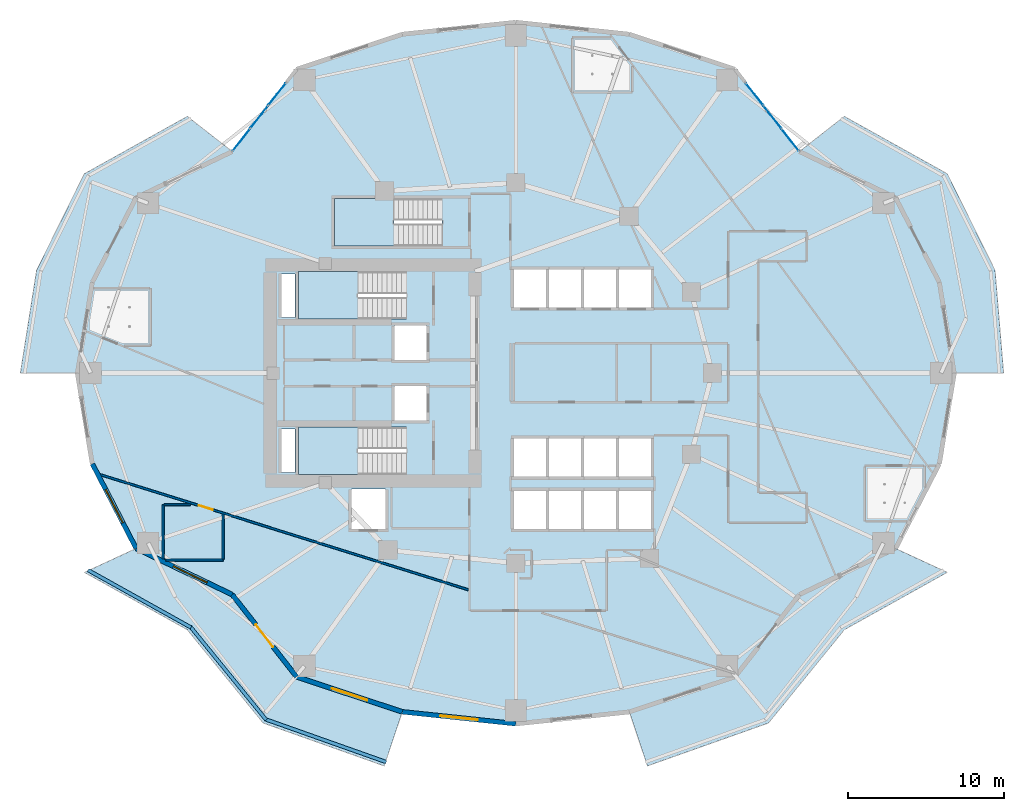
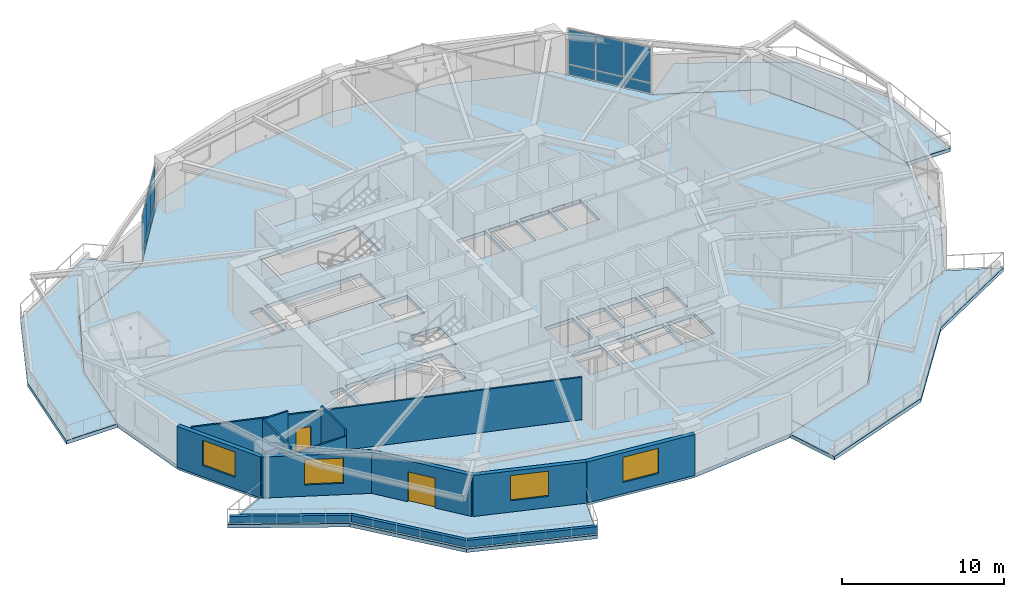
# One storey, part 4 of 18: 14 plates, 13 walls, 8 slabs, 4 windows, 2 doors, 6 openings, 5 elements without a shape of their own.
"""IFC4 building model written with IfcOpenShell, lengths in metres."""

from ifc_helpers import new_model, si_unit, direction, frame, frame_2d, origin, origin_2d, place, context, subcontext, project, spatial, polyline, rectangle, outline, extrude, material, layer, layer_set, type_object, element, fill, aggregate, save


model = new_model("IFC4")

# Units and contexts
model_context = context("Model", 3, precision=1e-05, world=origin(), true_north=direction((0.0, 1.0)))
body_context = subcontext(model_context, "Body", "Model", "MODEL_VIEW")
ifc_project = project(units=[si_unit("LENGTHUNIT", "METRE"), si_unit("AREAUNIT", "SQUARE_METRE"), si_unit("VOLUMEUNIT", "CUBIC_METRE"), si_unit("PLANEANGLEUNIT", "RADIAN"), si_unit("MASSUNIT", "GRAM", prefix="KILO")], contexts=[model_context])

# Site, building, storey
site_placement = place(None, origin())
site = spatial("IfcSite", under=ifc_project, at=site_placement, CompositionType="ELEMENT")
building_placement = place(site_placement, origin())
building = spatial("IfcBuilding", under=site, at=building_placement, Name="Kolvaren Gate Tower and Convention Centre", CompositionType="ELEMENT")
storey_placement = place(building_placement, frame((0.0, 0.0, 30.35009765625)))
storey = spatial("IfcBuildingStorey", under=building, at=storey_placement, Name="L06", CompositionType="ELEMENT", Elevation=30.35009765625)

# Plates
ifc_material_1 = material(Name="Perforated Anodized Bronze Aluminium Sheet 6 mm", Category="aluminium")
ifc_layer_1 = layer(ifc_material_1, 0.011962890625)
ifc_layer_set_1 = layer_set([ifc_layer_1], Name="Perforated Anodized Bronze Aluminium Sheet 6 mm")
plate_type_1 = type_object("IfcPlateType", Name="ARCH-PL-SCREEN-PERF", PredefinedType="SHEET", material=ifc_layer_set_1)
for number, where, z_axis, x_axis, name in (
    (1, (46.25146484375, 43.84912109375, 2.72998046875), (0.0, 0.0, 1.0), (0.616424499081, -0.787414018756, 0.0), "Tower L06 Perforated Bronze Solar Screen SS-03"),
    (2, (13.99853515625, 43.84912109375, 2.72998046875), (0.0, 0.0, 1.0), (0.616424499081, 0.787414018756, 0.0), "Tower L06 Perforated Bronze Solar Screen SS-08"),
):
    element("IfcPlate", number, at=place(storey_placement, frame(where, z_axis=z_axis, x_axis=x_axis)), inside=storey, type_object=plate_type_1, Name=name, PredefinedType="SHEET", context=body_context, shape_type="SweptSolid", body=[
        extrude(rectangle(XDim=2.60009765625, YDim=0.011962890625, at=origin_2d()), origin(), (0.0, 0.0, 1.0), 0.840087890625),
    ])

# Curtain wall, plates
ifc_material_2 = material(Name="Anodized Architectural Aluminium Alloy 6063-T6", Category="aluminium")
ifc_layer_2 = layer(ifc_material_2, 0.159912109375)
ifc_layer_set_2 = layer_set([ifc_layer_2], Name="Anodized Architectural Aluminium Alloy 6063-T6")
curtain_wall_type = type_object("IfcCurtainWallType", Name="CW-OFF-UNIT", PredefinedType="NOTDEFINED", material=ifc_layer_set_2)
curtain_wall_1_placement = place(storey_placement, origin())
curtain_wall_1 = element("IfcCurtainWall", 3, at=curtain_wall_1_placement, inside=storey, type_object=curtain_wall_type, Name="Tower L06 Unitised Curtain Wall CW-OFF-UNIT Bay 03", PredefinedType="NOTDEFINED")
ifc_material_3 = material(Name="Low-E Triple Insulated Glazing Unit 44 mm", Category="glass")
ifc_layer_3 = layer(ifc_material_3, 0.0439453125)
ifc_layer_set_3 = layer_set([ifc_layer_3], Name="Low-E Triple Insulated Glazing Unit 44 mm")
plate_type_2 = type_object("IfcPlateType", Name="CW-PL-IGU-44", PredefinedType="CURTAIN_PANEL", material=ifc_layer_set_3)
plate_1_placement = place(storey_placement, frame((45.438232421875, 44.887939453125, 0.88232421875), z_axis=(0.0, 0.0, 1.0), x_axis=(0.616425794643, -0.787413004527, 0.0)))
plate_1 = element("IfcPlate", 4, at=plate_1_placement, type_object=plate_type_2, Name="CW-02 panel 1.2", PredefinedType="CURTAIN_PANEL", context=body_context, shape_type="SweptSolid", body=[
    extrude(rectangle(XDim=1.77587890625, YDim=0.0439453125, at=origin_2d()), origin(), (0.0, 0.0, 1.0), 2.62255859375),
])
plate_2_placement = place(storey_placement, frame((46.5830078125, 43.425537109375, 0.88232421875), z_axis=(0.0, 0.0, 1.0), x_axis=(0.616425794643, -0.787413004527, 0.0)))
plate_2 = element("IfcPlate", 5, at=plate_2_placement, type_object=plate_type_2, Name="CW-02 panel 2.2", PredefinedType="CURTAIN_PANEL", context=body_context, shape_type="SweptSolid", body=[
    extrude(rectangle(XDim=1.808349609375, YDim=0.0439453125, at=origin_2d()), origin(), (0.0, 0.0, 1.0), 2.62255859375),
])
plate_3_placement = place(storey_placement, frame((47.727783203125, 41.963134765625, 0.88232421875), z_axis=(0.0, 0.0, 1.0), x_axis=(0.616425794643, -0.787413004527, 0.0)))
plate_3 = element("IfcPlate", 6, at=plate_3_placement, type_object=plate_type_2, Name="CW-02 panel 3.2", PredefinedType="CURTAIN_PANEL", context=body_context, shape_type="SweptSolid", body=[
    extrude(rectangle(XDim=1.77587890625, YDim=0.0439453125, at=origin_2d()), origin(), (0.0, 0.0, 1.0), 2.62255859375),
])

curtain_wall_2_placement = place(storey_placement, origin())
curtain_wall_2 = element("IfcCurtainWall", 7, at=curtain_wall_2_placement, inside=storey, type_object=curtain_wall_type, Name="Tower L06 Unitised Curtain Wall CW-OFF-UNIT Bay 08", PredefinedType="NOTDEFINED")
plate_4_placement = place(storey_placement, frame((12.522216796875, 41.963134765625, 0.88232421875), z_axis=(0.0, 0.0, 1.0), x_axis=(0.616421003276, 0.787416755422, 0.0)))
plate_4 = element("IfcPlate", 8, at=plate_4_placement, type_object=plate_type_2, Name="CW-02 panel 1.2", PredefinedType="CURTAIN_PANEL", context=body_context, shape_type="SweptSolid", body=[
    extrude(rectangle(XDim=1.77587890625, YDim=0.0439453125, at=origin_2d()), origin(), (0.0, 0.0, 1.0), 2.62255859375),
])
plate_5_placement = place(storey_placement, frame((13.666748046875, 43.425537109375, 0.88232421875), z_axis=(0.0, 0.0, 1.0), x_axis=(0.616421003276, 0.787416755422, 0.0)))
plate_5 = element("IfcPlate", 9, at=plate_5_placement, type_object=plate_type_2, Name="CW-02 panel 2.2", PredefinedType="CURTAIN_PANEL", context=body_context, shape_type="SweptSolid", body=[
    extrude(rectangle(XDim=1.808349609375, YDim=0.0439453125, at=origin_2d()), origin(), (0.0, 0.0, 1.0), 2.62255859375),
])
plate_6_placement = place(storey_placement, frame((14.8115234375, 44.8876953125, 0.88232421875), z_axis=(0.0, 0.0, 1.0), x_axis=(0.616421003276, 0.787416755422, 0.0)))
plate_6 = element("IfcPlate", 10, at=plate_6_placement, type_object=plate_type_2, Name="CW-02 panel 3.2", PredefinedType="CURTAIN_PANEL", context=body_context, shape_type="SweptSolid", body=[
    extrude(rectangle(XDim=1.77587890625, YDim=0.0439453125, at=origin_2d()), origin(), (0.0, 0.0, 1.0), 2.62255859375),
])

# Plate
ifc_material_4 = material(Name="Solar-Control Laminated Curtain Glazing 36 mm", Category="glass")
ifc_layer_4 = layer(ifc_material_4, 0.035888671875)
ifc_layer_set_4 = layer_set([ifc_layer_4], Name="Solar-Control Laminated Curtain Glazing 36 mm")
plate_type_3 = type_object("IfcPlateType", Name="CW-PL-SPAN-36", PredefinedType="CURTAIN_PANEL", material=ifc_layer_set_4)
plate_7_placement = place(storey_placement, frame((45.438232421875, 44.887939453125, 0.06494140625), z_axis=(0.0, 0.0, 1.0), x_axis=(0.616425794643, -0.787413004527, 0.0)))
plate_7 = element("IfcPlate", 11, at=plate_7_placement, type_object=plate_type_3, Name="CW-02 panel 1.1", PredefinedType="CURTAIN_PANEL", context=body_context, shape_type="SweptSolid", body=[
    extrude(rectangle(XDim=1.77587890625, YDim=0.035888671875, at=origin_2d()), origin(), (0.0, 0.0, 1.0), 0.75244140625),
])

plate_8_placement = place(storey_placement, frame((46.5830078125, 43.425537109375, 0.06494140625), z_axis=(0.0, 0.0, 1.0), x_axis=(0.616425794643, -0.787413004527, 0.0)))
plate_8 = element("IfcPlate", 12, at=plate_8_placement, type_object=plate_type_3, Name="CW-02 panel 2.1", PredefinedType="CURTAIN_PANEL", context=body_context, shape_type="SweptSolid", body=[
    extrude(rectangle(XDim=1.808349609375, YDim=0.035888671875, at=origin_2d()), origin(), (0.0, 0.0, 1.0), 0.75244140625),
])

plate_9_placement = place(storey_placement, frame((47.727783203125, 41.963134765625, 0.06494140625), z_axis=(0.0, 0.0, 1.0), x_axis=(0.616425794643, -0.787413004527, 0.0)))
plate_9 = element("IfcPlate", 13, at=plate_9_placement, type_object=plate_type_3, Name="CW-02 panel 3.1", PredefinedType="CURTAIN_PANEL", context=body_context, shape_type="SweptSolid", body=[
    extrude(rectangle(XDim=1.77587890625, YDim=0.035888671875, at=origin_2d()), origin(), (0.0, 0.0, 1.0), 0.75244140625),
])

aggregate(curtain_wall_1, [plate_7, plate_1, plate_8, plate_2, plate_9, plate_3])

plate_10_placement = place(storey_placement, frame((12.522216796875, 41.963134765625, 0.06494140625), z_axis=(0.0, 0.0, 1.0), x_axis=(0.616421003276, 0.787416755422, 0.0)))
plate_10 = element("IfcPlate", 14, at=plate_10_placement, type_object=plate_type_3, Name="CW-02 panel 1.1", PredefinedType="CURTAIN_PANEL", context=body_context, shape_type="SweptSolid", body=[
    extrude(rectangle(XDim=1.77587890625, YDim=0.035888671875, at=origin_2d()), origin(), (0.0, 0.0, 1.0), 0.75244140625),
])

plate_11_placement = place(storey_placement, frame((13.666748046875, 43.425537109375, 0.06494140625), z_axis=(0.0, 0.0, 1.0), x_axis=(0.616421003276, 0.787416755422, 0.0)))
plate_11 = element("IfcPlate", 15, at=plate_11_placement, type_object=plate_type_3, Name="CW-02 panel 2.1", PredefinedType="CURTAIN_PANEL", context=body_context, shape_type="SweptSolid", body=[
    extrude(rectangle(XDim=1.808349609375, YDim=0.035888671875, at=origin_2d()), origin(), (0.0, 0.0, 1.0), 0.75244140625),
])

plate_12_placement = place(storey_placement, frame((14.8115234375, 44.8876953125, 0.06494140625), z_axis=(0.0, 0.0, 1.0), x_axis=(0.616421003276, 0.787416755422, 0.0)))
plate_12 = element("IfcPlate", 16, at=plate_12_placement, type_object=plate_type_3, Name="CW-02 panel 3.1", PredefinedType="CURTAIN_PANEL", context=body_context, shape_type="SweptSolid", body=[
    extrude(rectangle(XDim=1.77587890625, YDim=0.035888671875, at=origin_2d()), origin(), (0.0, 0.0, 1.0), 0.75244140625),
])

aggregate(curtain_wall_2, [plate_10, plate_4, plate_11, plate_5, plate_12, plate_6])

# Slabs
ifc_material_5 = material(Name="Concrete C50/60", Category="concrete")
ifc_layer_5 = layer(ifc_material_5, 0.27001953125)
ifc_layer_set_5 = layer_set([ifc_layer_5], Name="Concrete C50/60")
slab_type_1 = type_object("IfcSlabType", Name="STR-SL-BALC-270", PredefinedType="FLOOR", material=ifc_layer_set_5)
slab_1_placement = place(storey_placement, frame((0.0, 0.0, -0.27001953125)))
element("IfcSlab", 17, at=slab_1_placement, inside=storey, type_object=slab_type_1, Name="Tower L06 Planted Balcony Terrace Slab 1 (East)", PredefinedType="FLOOR", context=body_context, shape_type="SweptSolid", body=[
    extrude(outline(polyline([(58.25, 27.0), (57.291748046875, 32.823486328125), (54.48193359375, 38.25), (48.315185546875, 41.212890625), (51.19921875, 43.46630859375), (57.8046875, 39.78466796875), (60.870361328125, 33.590576171875), (61.419921875, 27.0), (58.25, 27.0)])), origin(), (0.0, 0.0, 1.0), 0.27001953125),
])
slab_2_placement = place(storey_placement, frame((0.0, 0.0, -0.27001953125)))
element("IfcSlab", 18, at=slab_2_placement, inside=storey, type_object=slab_type_1, Name="Tower L06 Planted Balcony Terrace Slab 2 (West)", PredefinedType="FLOOR", context=body_context, shape_type="SweptSolid", body=[
    extrude(outline(polyline([(11.934814453125, 41.212890625), (5.76806640625, 38.25), (2.958251953125, 32.823486328125), (2.0, 27.0), (-1.659912109375, 27.0), (-0.620361328125, 33.590576171875), (2.4453125, 39.78466796875), (9.05078125, 43.46630859375), (11.934814453125, 41.212890625)])), origin(), (0.0, 0.0, 1.0), 0.27001953125),
])
slab_3_placement = place(storey_placement, frame((0.0, 0.0, -0.27001953125)))
element("IfcSlab", 19, at=slab_3_placement, inside=storey, type_object=slab_type_1, Name="Tower L06 Planted Balcony Terrace Slab 3 (South)", PredefinedType="FLOOR", context=body_context, shape_type="SweptSolid", body=[
    extrude(outline(polyline([(5.76806640625, 15.75), (11.934814453125, 12.787109375), (16.0625, 7.514404296875), (22.845703125, 5.2666015625), (21.683349609375, 1.796142578125), (13.920654296875, 4.546630859375), (9.05078125, 10.53369140625), (2.4453125, 14.21533203125), (5.76806640625, 15.75)])), origin(), (0.0, 0.0, 1.0), 0.27001953125),
])
slab_4_placement = place(storey_placement, frame((0.0, 0.0, -0.27001953125)))
element("IfcSlab", 20, at=slab_4_placement, inside=storey, type_object=slab_type_1, Name="Tower L06 Planted Balcony Terrace Slab 4 (South)", PredefinedType="FLOOR", context=body_context, shape_type="SweptSolid", body=[
    extrude(outline(polyline([(37.404296875, 5.2666015625), (44.1875, 7.514404296875), (48.315185546875, 12.787109375), (54.48193359375, 15.75), (57.8046875, 14.21533203125), (51.19921875, 10.53369140625), (46.329345703125, 4.546630859375), (38.566650390625, 1.796142578125), (37.404296875, 5.2666015625)])), origin(), (0.0, 0.0, 1.0), 0.27001953125),
])
ifc_layer_6 = layer(ifc_material_5, 0.280029296875)
ifc_layer_set_6 = layer_set([ifc_layer_6], Name="Concrete C50/60")
slab_type_2 = type_object("IfcSlabType", Name="STR-SL-FLR-280", PredefinedType="FLOOR", material=ifc_layer_set_6)
slab_5_placement = place(storey_placement, frame((0.0, 0.0, -0.280029296875)))
element("IfcSlab", 21, at=slab_5_placement, inside=storey, type_object=slab_type_2, Name="Tower L06 Structural Floor Slab", PredefinedType="FLOOR", context=body_context, shape_type="SweptSolid", body=[
    extrude(outline(polyline([(58.25, 27.0), (57.291748046875, 32.823486328125), (54.48193359375, 38.25), (48.315185546875, 41.212890625), (44.1875, 46.485595703125), (37.404296875, 48.7333984375), (30.125, 49.5), (22.845703125, 48.7333984375), (16.0625, 46.485595703125), (11.934814453125, 41.212890625), (5.76806640625, 38.25), (2.958251953125, 32.823486328125), (2.0, 27.0), (2.958251953125, 21.176513671875), (5.76806640625, 15.75), (11.934814453125, 12.787109375), (16.0625, 7.514404296875), (22.845703125, 5.2666015625), (30.125, 4.5), (37.404296875, 5.2666015625), (44.1875, 7.514404296875), (48.315185546875, 12.787109375), (54.48193359375, 15.75), (57.291748046875, 21.176513671875), (58.25, 27.0)]), holes=[polyline([(36.75, 33.64990234375), (38.800048828125, 33.64990234375), (38.800048828125, 31.199951171875), (36.75, 31.199951171875), (36.75, 33.64990234375)]), polyline([(36.75, 20.35009765625), (36.75, 22.800048828125), (38.800048828125, 22.800048828125), (38.800048828125, 20.35009765625), (36.75, 20.35009765625)]), polyline([(36.75, 17.0), (36.75, 19.449951171875), (38.800048828125, 19.449951171875), (38.800048828125, 17.0), (36.75, 17.0)]), polyline([(34.5, 33.64990234375), (36.550048828125, 33.64990234375), (36.550048828125, 31.199951171875), (34.5, 31.199951171875), (34.5, 33.64990234375)]), polyline([(34.5, 22.800048828125), (36.550048828125, 22.800048828125), (36.550048828125, 20.35009765625), (34.5, 20.35009765625), (34.5, 22.800048828125)]), polyline([(34.5, 17.0), (34.5, 19.449951171875), (36.550048828125, 19.449951171875), (36.550048828125, 17.0), (34.5, 17.0)]), polyline([(32.25, 31.199951171875), (32.25, 33.64990234375), (34.300048828125, 33.64990234375), (34.300048828125, 31.199951171875), (32.25, 31.199951171875)]), polyline([(32.25, 22.800048828125), (34.300048828125, 22.800048828125), (34.300048828125, 20.35009765625), (32.25, 20.35009765625), (32.25, 22.800048828125)]), polyline([(32.25, 17.0), (32.25, 19.449951171875), (34.300048828125, 19.449951171875), (34.300048828125, 17.0), (32.25, 17.0)]), polyline([(30.0, 31.199951171875), (30.0, 33.64990234375), (32.050048828125, 33.64990234375), (32.050048828125, 31.199951171875), (30.0, 31.199951171875)]), polyline([(30.0, 20.35009765625), (30.0, 22.800048828125), (32.050048828125, 22.800048828125), (32.050048828125, 20.35009765625), (30.0, 20.35009765625)]), polyline([(30.0, 17.0), (30.0, 19.449951171875), (32.050048828125, 19.449951171875), (32.050048828125, 17.0), (30.0, 17.0)]), polyline([(25.39990234375, 35.159912109375), (18.5, 35.159912109375), (18.5, 38.199951171875), (25.39990234375, 38.199951171875), (25.39990234375, 35.159912109375)]), polyline([(22.35009765625, 27.840087890625), (22.35009765625, 30.0400390625), (24.39990234375, 30.0400390625), (24.39990234375, 27.840087890625), (22.35009765625, 27.840087890625)]), polyline([(22.35009765625, 23.9599609375), (22.35009765625, 26.159912109375), (24.39990234375, 26.159912109375), (24.39990234375, 23.9599609375), (22.35009765625, 23.9599609375)]), polyline([(23.10009765625, 30.4599609375), (16.199951171875, 30.4599609375), (16.199951171875, 33.5), (23.10009765625, 33.5), (23.10009765625, 30.4599609375)]), polyline([(23.10009765625, 20.5), (16.199951171875, 20.5), (16.199951171875, 23.5400390625), (23.10009765625, 23.5400390625), (23.10009765625, 20.5)]), polyline([(19.60009765625, 17.0), (19.60009765625, 19.550048828125), (21.75, 19.550048828125), (21.75, 17.0), (19.60009765625, 17.0)]), polyline([(15.080078125, 23.419921875), (15.969970703125, 23.419921875), (15.969970703125, 20.6298828125), (15.080078125, 20.6298828125), (15.080078125, 23.419921875)]), polyline([(15.080078125, 30.580078125), (15.080078125, 33.3701171875), (15.969970703125, 33.3701171875), (15.969970703125, 30.580078125), (15.080078125, 30.580078125)])]), origin(), (0.0, 0.0, 1.0), 0.280029296875),
])

# Stair, slab
stair_type = type_object("IfcStairType", Name="STR-STAIR-CORE", PredefinedType="HALF_TURN_STAIR", material=ifc_material_5)
stair_1_placement = place(storey_placement, origin())
stair_1 = element("IfcStair", 22, at=stair_1_placement, inside=storey, type_object=stair_type, Name="L06 Tower North Exit Stair ST-T1", PredefinedType="HALF_TURN_STAIR")
ifc_layer_7 = layer(ifc_material_5, 0.199951171875)
ifc_layer_set_7 = layer_set([ifc_layer_7], Name="Concrete C50/60")
slab_type_3 = type_object("IfcSlabType", Name="STR-SL-LAND-200", PredefinedType="LANDING", material=ifc_layer_set_7)
slab_6_placement = place(storey_placement, frame((0.0, 0.0, 1.724853515625)))
slab_6 = element("IfcSlab", 23, at=slab_6_placement, type_object=slab_type_3, Name="ST-T1 landing 1", PredefinedType="LANDING", context=body_context, shape_type="SweptSolid", body=[
    extrude(outline(polyline([(20.0, 33.5), (16.199951171875, 33.5), (16.199951171875, 30.4599609375), (20.0, 30.4599609375), (20.0, 33.5)])), origin(), (0.0, 0.0, 1.0), 0.199951171875),
])
aggregate(stair_1, [slab_6])

stair_2_placement = place(storey_placement, origin())
stair_2 = element("IfcStair", 24, at=stair_2_placement, inside=storey, type_object=stair_type, Name="L06 Tower South Exit Stair ST-T2", PredefinedType="HALF_TURN_STAIR")
slab_7_placement = place(storey_placement, frame((0.0, 0.0, 1.724853515625)))
slab_7 = element("IfcSlab", 25, at=slab_7_placement, type_object=slab_type_3, Name="ST-T2 landing 1", PredefinedType="LANDING", context=body_context, shape_type="SweptSolid", body=[
    extrude(outline(polyline([(20.0, 23.5400390625), (16.199951171875, 23.5400390625), (16.199951171875, 20.5), (20.0, 20.5), (20.0, 23.5400390625)])), origin(), (0.0, 0.0, 1.0), 0.199951171875),
])
aggregate(stair_2, [slab_7])

stair_3_placement = place(storey_placement, origin())
stair_3 = element("IfcStair", 26, at=stair_3_placement, inside=storey, type_object=stair_type, Name="L06 Tower Mid-Zone Exit Stair ST-T3", PredefinedType="HALF_TURN_STAIR")
slab_8_placement = place(storey_placement, frame((0.0, 0.0, 1.724853515625)))
slab_8 = element("IfcSlab", 27, at=slab_8_placement, type_object=slab_type_3, Name="ST-T3 landing 1", PredefinedType="LANDING", context=body_context, shape_type="SweptSolid", body=[
    extrude(outline(polyline([(22.300048828125, 38.199951171875), (18.5, 38.199951171875), (18.5, 35.159912109375), (22.300048828125, 35.159912109375), (22.300048828125, 38.199951171875)])), origin(), (0.0, 0.0, 1.0), 0.199951171875),
])
aggregate(stair_3, [slab_8])

# Wall, opening, door
ifc_material_6 = material(Name="Fire-Rated Acoustic Gypsum Stud Partition", Category="gypsum")
ifc_layer_8 = layer(ifc_material_6, 0.1201171875)
ifc_layer_set_8 = layer_set([ifc_layer_8], Name="Fire-Rated Acoustic Gypsum Stud Partition")
wall_type_1 = type_object("IfcWallType", Name="ARCH-WL-PART-120", PredefinedType="PARTITIONING", material=ifc_layer_set_8)
wall_1_placement = place(storey_placement, frame((3.4912109375, 20.477783203125, 0.0), z_axis=(0.0, 0.0, 1.0), x_axis=(0.954372143903, -0.298619843517, 0.0)))
wall_1 = element("IfcWall", 28, at=wall_1_placement, inside=storey, type_object=wall_type_1, Name="Interior Partition WL-L06-INT-044", PredefinedType="PARTITIONING", context=body_context, shape_type="SweptSolid", body=[
    extrude(rectangle(XDim=24.709228515625, YDim=0.1201171875, at=frame_2d((12.3544921875, 0.0))), origin(), (0.0, 0.0, 1.0), 3.204833984375),
])
opening_1_placement = place(wall_1_placement, frame((6.593994140625, 0.0, 0.0)))
opening_1 = element("IfcOpeningElement", 29, at=opening_1_placement, cuts=wall_1, Name="Opening DI-01", PredefinedType="OPENING", context=body_context, shape_type="SweptSolid", body=[
    extrude(rectangle(XDim=0.949951171875, YDim=2.10009765625, at=frame_2d((0.47509765625, 1.050048828125))), frame((0.0, 0.070068359375, 0.0), z_axis=(0.0, -1.0, 0.0), x_axis=(1.0, 0.0, 0.0)), (0.0, 0.0, 1.0), 0.14013671875),
])
ifc_material_7 = material(Name="FSC Andean Oak Engineered Veneer Door Leaf", Category="wood")
door_type_1 = type_object("IfcDoorType", Name="ARCH-DR-INT-950", OperationType="SINGLE_SWING_LEFT", PredefinedType="DOOR", material=ifc_material_7)
door_1_placement = place(opening_1_placement, origin())
door_1 = element("IfcDoor", 30, at=door_1_placement, inside=storey, type_object=door_type_1, Name="Cellular Office Door", OperationType="SINGLE_SWING_RIGHT", OverallHeight=2.10009765625, OverallWidth=0.949951171875, PredefinedType="DOOR", context=body_context, shape_type="SweptSolid", body=[
    extrude(rectangle(XDim=0.949951171875, YDim=2.10009765625, at=frame_2d((0.47509765625, 1.050048828125))), frame((0.0, 0.02490234375, 0.0), z_axis=(0.0, -1.0, 0.0), x_axis=(1.0, 0.0, 0.0)), (0.0, 0.0, 1.0), 0.050048828125),
])
fill(opening_1, door_1)

# Walls
wall_2_placement = place(storey_placement, frame((7.679931640625, 15.0, 0.0), z_axis=(0.0, 0.0, 1.0), x_axis=(1.0, 0.0, 0.0)))
element("IfcWall", 31, at=wall_2_placement, inside=storey, type_object=wall_type_1, Name="Interior Partition WL-L06-INT-046", PredefinedType="PARTITIONING", context=body_context, shape_type="SweptSolid", body=[
    extrude(rectangle(XDim=3.670166015625, YDim=0.1201171875, at=frame_2d((1.8349609375, 0.0))), origin(), (0.0, 0.0, 1.0), 3.093017578125),
])
wall_3_placement = place(storey_placement, frame((11.35009765625, 15.06201171875, 0.0), z_axis=(0.0, 0.0, 1.0), x_axis=(0.0, 1.0, 0.0)))
element("IfcWall", 32, at=wall_3_placement, inside=storey, type_object=wall_type_1, Name="Interior Partition WL-L06-INT-047", PredefinedType="PARTITIONING", context=body_context, shape_type="SweptSolid", body=[
    extrude(rectangle(XDim=2.891845703125, YDim=0.1201171875, at=frame_2d((1.44580078125, 0.0))), origin(), (0.0, 0.0, 1.0), 3.56982421875),
])
wall_4_placement = place(storey_placement, frame((7.5, 15.08642578125, 0.0), z_axis=(0.0, 0.0, 1.0), x_axis=(0.0, 1.0, 0.0)))
element("IfcWall", 33, at=wall_4_placement, inside=storey, type_object=wall_type_1, Name="Interior Partition WL-L06-INT-048", PredefinedType="PARTITIONING", context=body_context, shape_type="SweptSolid", body=[
    extrude(rectangle(XDim=3.463623046875, YDim=0.1201171875, at=frame_2d((1.73193359375, 0.0))), origin(), (0.0, 0.0, 1.0), 3.56982421875),
])
wall_5_placement = place(storey_placement, frame((7.56201171875, 18.550048828125, 0.0), z_axis=(0.0, 0.0, 1.0), x_axis=(1.0, 0.0, 0.0)))
element("IfcWall", 34, at=wall_5_placement, inside=storey, type_object=wall_type_1, Name="Interior Partition WL-L06-INT-049", PredefinedType="PARTITIONING", context=body_context, shape_type="SweptSolid", body=[
    extrude(rectangle(XDim=1.681884765625, YDim=0.1201171875, at=frame_2d((0.8408203125, 0.0))), origin(), (0.0, 0.0, 1.0), 3.56982421875),
])
ifc_material_8 = material(Name="Piedmont Cream Honed Limestone Cladding", Category="masonry")
ifc_layer_9 = layer(ifc_material_8, 0.219970703125)
ifc_layer_set_9 = layer_set([ifc_layer_9], Name="Piedmont Cream Honed Limestone Cladding")
wall_type_2 = type_object("IfcWallType", Name="ARCH-WL-PLANTER-220", PredefinedType="PARAPET", material=ifc_layer_set_9)
wall_6_placement = place(storey_placement, frame((2.685302734375, 14.359375, 0.0), z_axis=(0.0, 0.0, 1.0), x_axis=(0.873500119739, -0.48682393205, 0.0)))
element("IfcWall", 35, at=wall_6_placement, inside=storey, type_object=wall_type_2, Name="Vertical-Forest Balcony Stone Planter Kerb PK-L06-3.1", PredefinedType="PARAPET", context=body_context, shape_type="SweptSolid", body=[
    extrude(rectangle(XDim=7.56201171875, YDim=0.219970703125, at=frame_2d((3.781005859375, 0.0))), origin(), (0.0, 0.0, 1.0), 0.52001953125),
])
wall_7_placement = place(storey_placement, frame((9.244384765625, 10.736083984375, 0.0), z_axis=(0.0, 0.0, 1.0), x_axis=(0.630997450658, -0.775784903993, 0.0)))
element("IfcWall", 36, at=wall_7_placement, inside=storey, type_object=wall_type_2, Name="Vertical-Forest Balcony Stone Planter Kerb PK-L06-3.2", PredefinedType="PARAPET", context=body_context, shape_type="SweptSolid", body=[
    extrude(rectangle(XDim=7.7177734375, YDim=0.219970703125, at=frame_2d((3.85888671875, 0.0))), origin(), (0.0, 0.0, 1.0), 0.52001953125),
])
wall_8_placement = place(storey_placement, frame((14.04931640625, 4.79541015625, 0.0), z_axis=(0.0, 0.0, 1.0), x_axis=(0.942581348797, -0.333976647237, 0.0)))
element("IfcWall", 37, at=wall_8_placement, inside=storey, type_object=wall_type_2, Name="Vertical-Forest Balcony Stone Planter Kerb PK-L06-3.3", PredefinedType="PARAPET", context=body_context, shape_type="SweptSolid", body=[
    extrude(rectangle(XDim=8.235595703125, YDim=0.219970703125, at=frame_2d((4.11767578125, 0.0))), origin(), (0.0, 0.0, 1.0), 0.52001953125),
])

# Wall, opening, window
ifc_layer_10 = layer(ifc_material_8, 0.300048828125)
ifc_layer_set_10 = layer_set([ifc_layer_10], Name="Piedmont Cream Honed Limestone Cladding")
wall_type_3 = type_object("IfcWallType", Name="ARCH-WL-STONE-300", PredefinedType="SOLIDWALL", material=ifc_layer_set_10)
wall_9_placement = place(storey_placement, frame((2.958251953125, 21.176513671875, 0.0), z_axis=(0.0, 0.0, 1.0), x_axis=(0.459809804413, -0.88801742312, 0.0)))
wall_9 = element("IfcWall", 38, at=wall_9_placement, inside=storey, type_object=wall_type_3, Name="Tower L06 Honed Stone Spandrel Wall EW-13", PredefinedType="SOLIDWALL", context=body_context, shape_type="SweptSolid", body=[
    extrude(rectangle(XDim=6.11083984375, YDim=0.300048828125, at=frame_2d((3.055419921875, 0.0))), origin(), (0.0, 0.0, 1.0), 3.093017578125),
])
opening_2_placement = place(wall_9_placement, frame((1.85498046875, 0.0, 0.85009765625)))
opening_2 = element("IfcOpeningElement", 39, at=opening_2_placement, cuts=wall_9, Name="Opening W-01", PredefinedType="OPENING", context=body_context, shape_type="SweptSolid", body=[
    extrude(rectangle(XDim=2.39990234375, YDim=1.89990234375, at=frame_2d((1.199951171875, 0.949951171875))), frame((0.0, 0.159912109375, 0.0), z_axis=(0.0, -1.0, 0.0), x_axis=(1.0, 0.0, 0.0)), (0.0, 0.0, 1.0), 0.320068359375),
])
window_type = type_object("IfcWindowType", Name="ARCH-WN-OFF-2400", PartitioningType="SINGLE_PANEL", PredefinedType="WINDOW", material=ifc_material_3)
window_1_placement = place(opening_2_placement, origin())
window_1 = element("IfcWindow", 40, at=window_1_placement, inside=storey, type_object=window_type, Name="Tower L06 Punched Stone Facade Window W-13", OverallHeight=1.89990234375, OverallWidth=2.39990234375, PartitioningType="SINGLE_PANEL", PredefinedType="WINDOW", context=body_context, shape_type="SweptSolid", body=[
    extrude(rectangle(XDim=2.39990234375, YDim=1.89990234375, at=frame_2d((1.199951171875, 0.949951171875))), frame((0.0, 0.030029296875, 0.0), z_axis=(0.0, -1.0, 0.0), x_axis=(1.0, 0.0, 0.0)), (0.0, 0.0, 1.0), 0.06005859375),
])
fill(opening_2, window_1)

wall_10_placement = place(storey_placement, frame((5.76806640625, 15.75, 0.0), z_axis=(0.0, 0.0, 1.0), x_axis=(0.901360393999, -0.433069786673, 0.0)))
wall_10 = element("IfcWall", 41, at=wall_10_placement, inside=storey, type_object=wall_type_3, Name="Tower L06 Honed Stone Spandrel Wall EW-14", PredefinedType="SOLIDWALL", context=body_context, shape_type="SweptSolid", body=[
    extrude(rectangle(XDim=6.841552734375, YDim=0.300048828125, at=frame_2d((3.4208984375, 0.0))), origin(), (0.0, 0.0, 1.0), 3.093017578125),
])
opening_3_placement = place(wall_10_placement, frame((2.64990234375, 0.0, 0.85009765625)))
opening_3 = element("IfcOpeningElement", 42, at=opening_3_placement, cuts=wall_10, Name="Opening W-01", PredefinedType="OPENING", context=body_context, shape_type="SweptSolid", body=[
    extrude(rectangle(XDim=2.39990234375, YDim=1.89990234375, at=frame_2d((1.199951171875, 0.949951171875))), frame((0.0, 0.159912109375, 0.0), z_axis=(0.0, -1.0, 0.0), x_axis=(1.0, 0.0, 0.0)), (0.0, 0.0, 1.0), 0.320068359375),
])
window_2_placement = place(opening_3_placement, origin())
window_2 = element("IfcWindow", 43, at=window_2_placement, inside=storey, type_object=window_type, Name="Tower L06 Punched Stone Facade Window W-14", OverallHeight=1.89990234375, OverallWidth=2.39990234375, PartitioningType="SINGLE_PANEL", PredefinedType="WINDOW", context=body_context, shape_type="SweptSolid", body=[
    extrude(rectangle(XDim=2.39990234375, YDim=1.89990234375, at=frame_2d((1.199951171875, 0.949951171875))), frame((0.0, 0.030029296875, 0.0), z_axis=(0.0, -1.0, 0.0), x_axis=(1.0, 0.0, 0.0)), (0.0, 0.0, 1.0), 0.06005859375),
])
fill(opening_3, window_2)

# Wall, opening, door
wall_11_placement = place(storey_placement, frame((11.934814453125, 12.787109375, 0.0), z_axis=(0.0, 0.0, 1.0), x_axis=(0.616421309777, -0.787416515482, 0.0)))
wall_11 = element("IfcWall", 44, at=wall_11_placement, inside=storey, type_object=wall_type_3, Name="Tower L06 Honed Stone Spandrel Wall EW-15", PredefinedType="SOLIDWALL", context=body_context, shape_type="SweptSolid", body=[
    extrude(rectangle(XDim=6.6962890625, YDim=0.300048828125, at=frame_2d((3.34814453125, 0.0))), origin(), (0.0, 0.0, 1.0), 3.093017578125),
])
opening_4_placement = place(wall_11_placement, frame((2.447998046875, 0.0, 0.0)))
opening_4 = element("IfcOpeningElement", 45, at=opening_4_placement, cuts=wall_11, Name="Opening DB-01", PredefinedType="OPENING", context=body_context, shape_type="SweptSolid", body=[
    extrude(rectangle(XDim=1.800048828125, YDim=2.25, at=frame_2d((0.89990234375, 1.125))), frame((0.0, 0.159912109375, 0.0), z_axis=(0.0, -1.0, 0.0), x_axis=(1.0, 0.0, 0.0)), (0.0, 0.0, 1.0), 0.320068359375),
])
door_type_2 = type_object("IfcDoorType", Name="ARCH-DR-BALC-1800", OperationType="SLIDING_TO_LEFT", PredefinedType="DOOR", material=ifc_material_2)
door_2_placement = place(opening_4_placement, frame((1.800048828125, 0.0, 0.0), z_axis=(0.0, 0.0, 1.0), x_axis=(-1.0, 0.0, 0.0)))
door_2 = element("IfcDoor", 46, at=door_2_placement, inside=storey, type_object=door_type_2, Name="Planted Sky Terrace Access Door DB-L06-15", OperationType="SLIDING_TO_LEFT", OverallHeight=2.25, OverallWidth=1.800048828125, PredefinedType="DOOR", context=body_context, shape_type="SweptSolid", body=[
    extrude(rectangle(XDim=1.800048828125, YDim=2.25, at=frame_2d((0.89990234375, 1.125))), frame((0.0, 0.02490234375, 0.0), z_axis=(0.0, -1.0, 0.0), x_axis=(1.0, 0.0, 0.0)), (0.0, 0.0, 1.0), 0.050048828125),
])
fill(opening_4, door_2)

# Wall, opening, window
wall_12_placement = place(storey_placement, frame((16.0625, 7.514404296875, 0.0), z_axis=(0.0, 0.0, 1.0), x_axis=(0.949238715533, -0.31455661006, 0.0)))
wall_12 = element("IfcWall", 47, at=wall_12_placement, inside=storey, type_object=wall_type_3, Name="Tower L06 Honed Stone Spandrel Wall EW-16", PredefinedType="SOLIDWALL", context=body_context, shape_type="SweptSolid", body=[
    extrude(rectangle(XDim=7.14599609375, YDim=0.300048828125, at=frame_2d((3.572998046875, 0.0))), origin(), (0.0, 0.0, 1.0), 3.093017578125),
])
opening_5_placement = place(wall_12_placement, frame((2.373046875, 0.0, 0.85009765625)))
opening_5 = element("IfcOpeningElement", 48, at=opening_5_placement, cuts=wall_12, Name="Opening W-01", PredefinedType="OPENING", context=body_context, shape_type="SweptSolid", body=[
    extrude(rectangle(XDim=2.39990234375, YDim=1.89990234375, at=frame_2d((1.199951171875, 0.949951171875))), frame((0.0, 0.159912109375, 0.0), z_axis=(0.0, -1.0, 0.0), x_axis=(1.0, 0.0, 0.0)), (0.0, 0.0, 1.0), 0.320068359375),
])
window_3_placement = place(opening_5_placement, origin())
window_3 = element("IfcWindow", 49, at=window_3_placement, inside=storey, type_object=window_type, Name="Tower L06 Punched Stone Facade Window W-16", OverallHeight=1.89990234375, OverallWidth=2.39990234375, PartitioningType="SINGLE_PANEL", PredefinedType="WINDOW", context=body_context, shape_type="SweptSolid", body=[
    extrude(rectangle(XDim=2.39990234375, YDim=1.89990234375, at=frame_2d((1.199951171875, 0.949951171875))), frame((0.0, 0.030029296875, 0.0), z_axis=(0.0, -1.0, 0.0), x_axis=(1.0, 0.0, 0.0)), (0.0, 0.0, 1.0), 0.06005859375),
])
fill(opening_5, window_3)

wall_13_placement = place(storey_placement, frame((22.845703125, 5.2666015625, 0.0), z_axis=(0.0, 0.0, 1.0), x_axis=(0.994500334317, -0.104733399844, 0.0)))
wall_13 = element("IfcWall", 50, at=wall_13_placement, inside=storey, type_object=wall_type_3, Name="Tower L06 Honed Stone Spandrel Wall EW-17", PredefinedType="SOLIDWALL", context=body_context, shape_type="SweptSolid", body=[
    extrude(rectangle(XDim=7.319580078125, YDim=0.300048828125, at=frame_2d((3.65966796875, 0.0))), origin(), (0.0, 0.0, 1.0), 3.093017578125),
])
opening_6_placement = place(wall_13_placement, frame((2.4599609375, 0.0, 0.85009765625)))
opening_6 = element("IfcOpeningElement", 51, at=opening_6_placement, cuts=wall_13, Name="Opening W-01", PredefinedType="OPENING", context=body_context, shape_type="SweptSolid", body=[
    extrude(rectangle(XDim=2.39990234375, YDim=1.89990234375, at=frame_2d((1.199951171875, 0.949951171875))), frame((0.0, 0.159912109375, 0.0), z_axis=(0.0, -1.0, 0.0), x_axis=(1.0, 0.0, 0.0)), (0.0, 0.0, 1.0), 0.320068359375),
])
window_4_placement = place(opening_6_placement, origin())
window_4 = element("IfcWindow", 52, at=window_4_placement, inside=storey, type_object=window_type, Name="Tower L06 Punched Stone Facade Window W-17", OverallHeight=1.89990234375, OverallWidth=2.39990234375, PartitioningType="SINGLE_PANEL", PredefinedType="WINDOW", context=body_context, shape_type="SweptSolid", body=[
    extrude(rectangle(XDim=2.39990234375, YDim=1.89990234375, at=frame_2d((1.199951171875, 0.949951171875))), frame((0.0, 0.030029296875, 0.0), z_axis=(0.0, -1.0, 0.0), x_axis=(1.0, 0.0, 0.0)), (0.0, 0.0, 1.0), 0.06005859375),
])
fill(opening_6, window_4)

save(model, "model.ifc")
